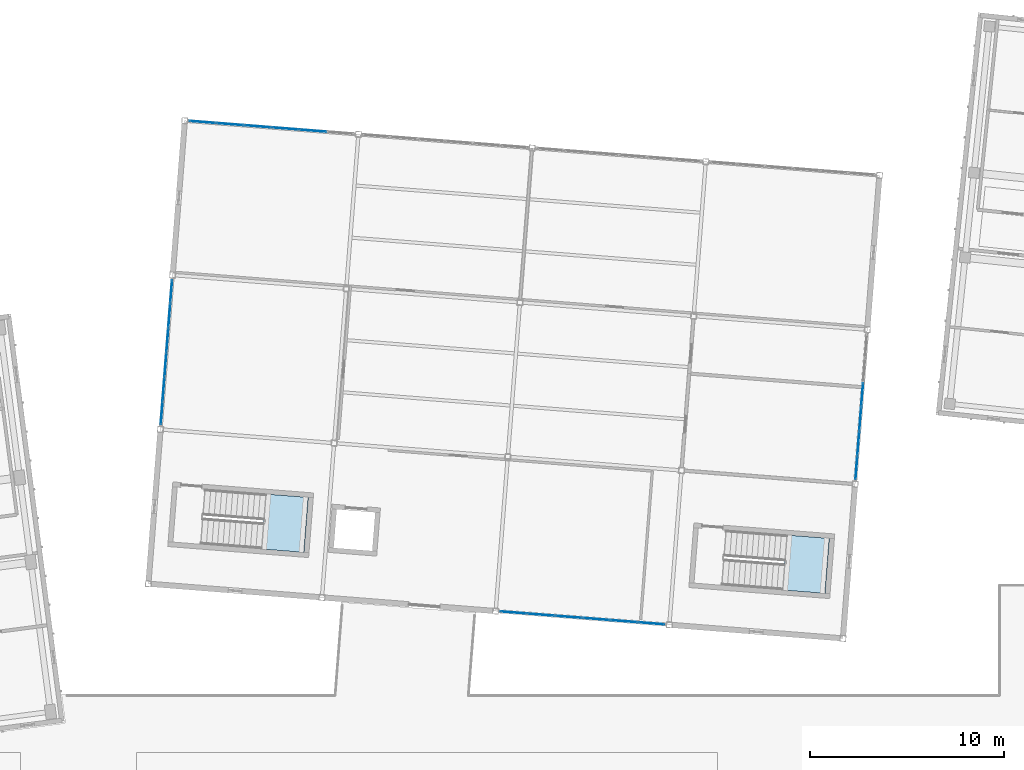
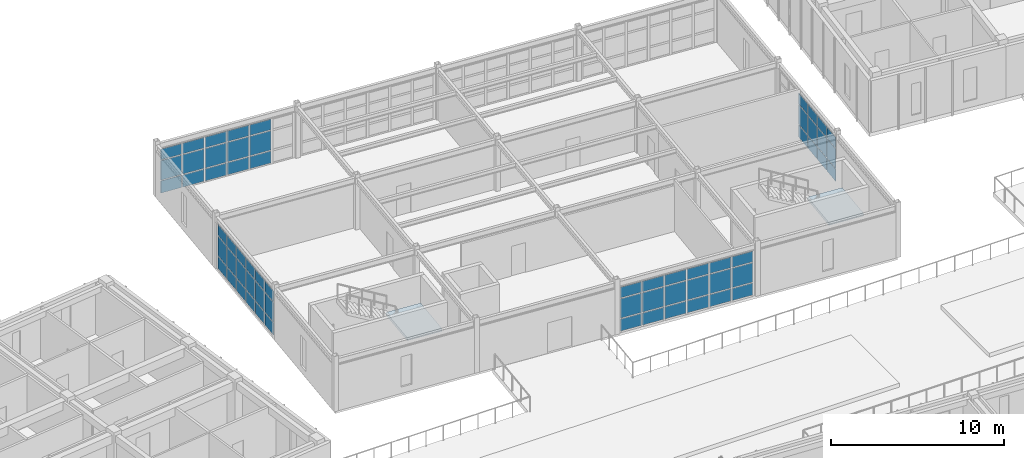
# One storey, part 74 of 150: 63 plates, 2 slabs, 6 elements without a shape of their own.
"""IFC4 building model written with IfcOpenShell, lengths in metres."""

from ifc_helpers import new_model, si_unit, direction, frame, origin, origin_2d, place, context, subcontext, project, spatial, polyline, rectangle, outline, extrude, material, layer, layer_set, type_object, element, aggregate, save


model = new_model("IFC4")

# Units and contexts
model_context = context("Model", 3, precision=1e-05, world=origin(), true_north=direction((0.0, 1.0)))
body_context = subcontext(model_context, "Body", "Model", "MODEL_VIEW")
ifc_project = project(units=[si_unit("LENGTHUNIT", "METRE"), si_unit("AREAUNIT", "SQUARE_METRE"), si_unit("VOLUMEUNIT", "CUBIC_METRE"), si_unit("PLANEANGLEUNIT", "RADIAN"), si_unit("MASSUNIT", "GRAM", prefix="KILO")], contexts=[model_context])

# Site, building, storey
site_placement = place(None, origin())
site = spatial("IfcSite", under=ifc_project, at=site_placement, CompositionType="ELEMENT")
building_placement = place(site_placement, origin())
building = spatial("IfcBuilding", under=site, at=building_placement, Name="Kestramere Prow Commons", CompositionType="ELEMENT")
storey_placement = place(building_placement, frame((0.0, 0.0, 4.5)))
storey = spatial("IfcBuildingStorey", under=building, at=storey_placement, Name="L01", CompositionType="ELEMENT", Elevation=4.5)

# Curtain wall, plates
ifc_material_1 = material(Name="Anodised Aluminium and Low-E Glass", Category="aluminium")
curtain_wall_type_1 = type_object("IfcCurtainWallType", Name="CW-15 Glazed Curtain Wall 8600x3230", PredefinedType="USERDEFINED", material=ifc_material_1)
curtain_wall_1_placement = place(storey_placement, origin())
curtain_wall_1 = element("IfcCurtainWall", 1, at=curtain_wall_1_placement, inside=storey, type_object=curtain_wall_type_1, Name="Nursery L01 North Garden Glazing 1", ObjectType="GLAZED CURTAIN WALL", PredefinedType="USERDEFINED")
ifc_material_2 = material(Name="Low-E Laminated Double Glazing", Category="glass")
ifc_layer_1 = layer(ifc_material_2, 0.028076171875)
ifc_layer_set_1 = layer_set([ifc_layer_1], Name="Low-E Laminated Double Glazing")
plate_type = type_object("IfcPlateType", Name="CW-PNL-28", PredefinedType="CURTAIN_PANEL", material=ifc_layer_set_1)
plate_1_placement = place(storey_placement, frame((71.4130859375, 109.352783203125, 0.06494140625), z_axis=(0.0, 0.0, 1.0), x_axis=(0.996917335713, -0.078459070568, 0.0)))
plate_1 = element("IfcPlate", 2, at=plate_1_placement, type_object=plate_type, Name="CW-15 panel 1.1", PredefinedType="CURTAIN_PANEL", context=body_context, shape_type="SweptSolid", body=[
    extrude(rectangle(XDim=1.3359375, YDim=0.028076171875, at=origin_2d()), origin(), (0.0, 0.0, 1.0), 0.8525390625),
])
plate_2_placement = place(storey_placement, frame((71.4130859375, 109.352783203125, 0.982421875), z_axis=(0.0, 0.0, 1.0), x_axis=(0.996917335713, -0.078459070568, 0.0)))
plate_2 = element("IfcPlate", 3, at=plate_2_placement, type_object=plate_type, Name="CW-15 panel 1.2", PredefinedType="CURTAIN_PANEL", context=body_context, shape_type="SweptSolid", body=[
    extrude(rectangle(XDim=1.3359375, YDim=0.028076171875, at=origin_2d()), origin(), (0.0, 0.0, 1.0), 1.364990234375),
])
plate_3_placement = place(storey_placement, frame((71.4130859375, 109.352783203125, 2.41259765625), z_axis=(0.0, 0.0, 1.0), x_axis=(0.996917335713, -0.078459070568, 0.0)))
plate_3 = element("IfcPlate", 4, at=plate_3_placement, type_object=plate_type, Name="CW-15 panel 1.3", PredefinedType="CURTAIN_PANEL", context=body_context, shape_type="SweptSolid", body=[
    extrude(rectangle(XDim=1.3359375, YDim=0.028076171875, at=origin_2d()), origin(), (0.0, 0.0, 1.0), 0.75244140625),
])
plate_4_placement = place(storey_placement, frame((72.82568359375, 109.24169921875, 0.06494140625), z_axis=(0.0, 0.0, 1.0), x_axis=(0.996917335713, -0.078459070568, 0.0)))
plate_4 = element("IfcPlate", 5, at=plate_4_placement, type_object=plate_type, Name="CW-15 panel 2.1", PredefinedType="CURTAIN_PANEL", context=body_context, shape_type="SweptSolid", body=[
    extrude(rectangle(XDim=1.368408203125, YDim=0.028076171875, at=origin_2d()), origin(), (0.0, 0.0, 1.0), 0.8525390625),
])
plate_5_placement = place(storey_placement, frame((72.82568359375, 109.24169921875, 0.982421875), z_axis=(0.0, 0.0, 1.0), x_axis=(0.996917335713, -0.078459070568, 0.0)))
plate_5 = element("IfcPlate", 6, at=plate_5_placement, type_object=plate_type, Name="CW-15 panel 2.2", PredefinedType="CURTAIN_PANEL", context=body_context, shape_type="SweptSolid", body=[
    extrude(rectangle(XDim=1.368408203125, YDim=0.028076171875, at=origin_2d()), origin(), (0.0, 0.0, 1.0), 1.364990234375),
])
plate_6_placement = place(storey_placement, frame((72.82568359375, 109.24169921875, 2.41259765625), z_axis=(0.0, 0.0, 1.0), x_axis=(0.996917335713, -0.078459070568, 0.0)))
plate_6 = element("IfcPlate", 7, at=plate_6_placement, type_object=plate_type, Name="CW-15 panel 2.3", PredefinedType="CURTAIN_PANEL", context=body_context, shape_type="SweptSolid", body=[
    extrude(rectangle(XDim=1.368408203125, YDim=0.028076171875, at=origin_2d()), origin(), (0.0, 0.0, 1.0), 0.75244140625),
])
plate_7_placement = place(storey_placement, frame((74.254638671875, 109.129150390625, 0.06494140625), z_axis=(0.0, 0.0, 1.0), x_axis=(0.996917335713, -0.078459070568, 0.0)))
plate_7 = element("IfcPlate", 8, at=plate_7_placement, type_object=plate_type, Name="CW-15 panel 3.1", PredefinedType="CURTAIN_PANEL", context=body_context, shape_type="SweptSolid", body=[
    extrude(rectangle(XDim=1.368408203125, YDim=0.028076171875, at=origin_2d()), origin(), (0.0, 0.0, 1.0), 0.8525390625),
])
plate_8_placement = place(storey_placement, frame((74.254638671875, 109.129150390625, 0.982421875), z_axis=(0.0, 0.0, 1.0), x_axis=(0.996917335713, -0.078459070568, 0.0)))
plate_8 = element("IfcPlate", 9, at=plate_8_placement, type_object=plate_type, Name="CW-15 panel 3.2", PredefinedType="CURTAIN_PANEL", context=body_context, shape_type="SweptSolid", body=[
    extrude(rectangle(XDim=1.368408203125, YDim=0.028076171875, at=origin_2d()), origin(), (0.0, 0.0, 1.0), 1.364990234375),
])
plate_9_placement = place(storey_placement, frame((74.254638671875, 109.129150390625, 2.41259765625), z_axis=(0.0, 0.0, 1.0), x_axis=(0.996917335713, -0.078459070568, 0.0)))
plate_9 = element("IfcPlate", 10, at=plate_9_placement, type_object=plate_type, Name="CW-15 panel 3.3", PredefinedType="CURTAIN_PANEL", context=body_context, shape_type="SweptSolid", body=[
    extrude(rectangle(XDim=1.368408203125, YDim=0.028076171875, at=origin_2d()), origin(), (0.0, 0.0, 1.0), 0.75244140625),
])
plate_10_placement = place(storey_placement, frame((75.68359375, 109.0166015625, 0.06494140625), z_axis=(0.0, 0.0, 1.0), x_axis=(0.996917335713, -0.078459070568, 0.0)))
plate_10 = element("IfcPlate", 11, at=plate_10_placement, type_object=plate_type, Name="CW-15 panel 4.1", PredefinedType="CURTAIN_PANEL", context=body_context, shape_type="SweptSolid", body=[
    extrude(rectangle(XDim=1.368408203125, YDim=0.028076171875, at=origin_2d()), origin(), (0.0, 0.0, 1.0), 0.8525390625),
])
plate_11_placement = place(storey_placement, frame((75.68359375, 109.0166015625, 0.982421875), z_axis=(0.0, 0.0, 1.0), x_axis=(0.996917335713, -0.078459070568, 0.0)))
plate_11 = element("IfcPlate", 12, at=plate_11_placement, type_object=plate_type, Name="CW-15 panel 4.2", PredefinedType="CURTAIN_PANEL", context=body_context, shape_type="SweptSolid", body=[
    extrude(rectangle(XDim=1.368408203125, YDim=0.028076171875, at=origin_2d()), origin(), (0.0, 0.0, 1.0), 1.364990234375),
])
plate_12_placement = place(storey_placement, frame((75.68359375, 109.0166015625, 2.41259765625), z_axis=(0.0, 0.0, 1.0), x_axis=(0.996917335713, -0.078459070568, 0.0)))
plate_12 = element("IfcPlate", 13, at=plate_12_placement, type_object=plate_type, Name="CW-15 panel 4.3", PredefinedType="CURTAIN_PANEL", context=body_context, shape_type="SweptSolid", body=[
    extrude(rectangle(XDim=1.368408203125, YDim=0.028076171875, at=origin_2d()), origin(), (0.0, 0.0, 1.0), 0.75244140625),
])
plate_13_placement = place(storey_placement, frame((77.112548828125, 108.904296875, 0.06494140625), z_axis=(0.0, 0.0, 1.0), x_axis=(0.996917335713, -0.078459070568, 0.0)))
plate_13 = element("IfcPlate", 14, at=plate_13_placement, type_object=plate_type, Name="CW-15 panel 5.1", PredefinedType="CURTAIN_PANEL", context=body_context, shape_type="SweptSolid", body=[
    extrude(rectangle(XDim=1.368408203125, YDim=0.028076171875, at=origin_2d()), origin(), (0.0, 0.0, 1.0), 0.8525390625),
])
plate_14_placement = place(storey_placement, frame((77.112548828125, 108.904296875, 0.982421875), z_axis=(0.0, 0.0, 1.0), x_axis=(0.996917335713, -0.078459070568, 0.0)))
plate_14 = element("IfcPlate", 15, at=plate_14_placement, type_object=plate_type, Name="CW-15 panel 5.2", PredefinedType="CURTAIN_PANEL", context=body_context, shape_type="SweptSolid", body=[
    extrude(rectangle(XDim=1.368408203125, YDim=0.028076171875, at=origin_2d()), origin(), (0.0, 0.0, 1.0), 1.364990234375),
])
plate_15_placement = place(storey_placement, frame((77.112548828125, 108.904296875, 2.41259765625), z_axis=(0.0, 0.0, 1.0), x_axis=(0.996917335713, -0.078459070568, 0.0)))
plate_15 = element("IfcPlate", 16, at=plate_15_placement, type_object=plate_type, Name="CW-15 panel 5.3", PredefinedType="CURTAIN_PANEL", context=body_context, shape_type="SweptSolid", body=[
    extrude(rectangle(XDim=1.368408203125, YDim=0.028076171875, at=origin_2d()), origin(), (0.0, 0.0, 1.0), 0.75244140625),
])
aggregate(curtain_wall_1, [plate_1, plate_2, plate_3, plate_4, plate_5, plate_6, plate_7, plate_8, plate_9, plate_10, plate_11, plate_12, plate_13, plate_14, plate_15])

curtain_wall_2_placement = place(storey_placement, origin())
curtain_wall_2 = element("IfcCurtainWall", 17, at=curtain_wall_2_placement, inside=storey, type_object=curtain_wall_type_1, Name="Nursery L01 South Classroom Glazing 3", ObjectType="GLAZED CURTAIN WALL", PredefinedType="USERDEFINED")
plate_16_placement = place(storey_placement, frame((94.586669921875, 83.454833984375, 0.06494140625), z_axis=(0.0, 0.0, 1.0), x_axis=(-0.996917336429, 0.078459061468, 0.0)))
plate_16 = element("IfcPlate", 18, at=plate_16_placement, type_object=plate_type, Name="CW-15 panel 1.1", PredefinedType="CURTAIN_PANEL", context=body_context, shape_type="SweptSolid", body=[
    extrude(rectangle(XDim=1.3359375, YDim=0.028076171875, at=origin_2d()), origin(), (0.0, 0.0, 1.0), 0.8525390625),
])
plate_17_placement = place(storey_placement, frame((94.586669921875, 83.454833984375, 0.982421875), z_axis=(0.0, 0.0, 1.0), x_axis=(-0.996917336429, 0.078459061468, 0.0)))
plate_17 = element("IfcPlate", 19, at=plate_17_placement, type_object=plate_type, Name="CW-15 panel 1.2", PredefinedType="CURTAIN_PANEL", context=body_context, shape_type="SweptSolid", body=[
    extrude(rectangle(XDim=1.3359375, YDim=0.028076171875, at=origin_2d()), origin(), (0.0, 0.0, 1.0), 1.364990234375),
])
plate_18_placement = place(storey_placement, frame((94.586669921875, 83.454833984375, 2.41259765625), z_axis=(0.0, 0.0, 1.0), x_axis=(-0.996917336429, 0.078459061468, 0.0)))
plate_18 = element("IfcPlate", 20, at=plate_18_placement, type_object=plate_type, Name="CW-15 panel 1.3", PredefinedType="CURTAIN_PANEL", context=body_context, shape_type="SweptSolid", body=[
    extrude(rectangle(XDim=1.3359375, YDim=0.028076171875, at=origin_2d()), origin(), (0.0, 0.0, 1.0), 0.75244140625),
])
plate_19_placement = place(storey_placement, frame((93.174072265625, 83.56591796875, 0.06494140625), z_axis=(0.0, 0.0, 1.0), x_axis=(-0.996917336429, 0.078459061468, 0.0)))
plate_19 = element("IfcPlate", 21, at=plate_19_placement, type_object=plate_type, Name="CW-15 panel 2.1", PredefinedType="CURTAIN_PANEL", context=body_context, shape_type="SweptSolid", body=[
    extrude(rectangle(XDim=1.368408203125, YDim=0.028076171875, at=origin_2d()), origin(), (0.0, 0.0, 1.0), 0.8525390625),
])
plate_20_placement = place(storey_placement, frame((93.174072265625, 83.56591796875, 0.982421875), z_axis=(0.0, 0.0, 1.0), x_axis=(-0.996917336429, 0.078459061468, 0.0)))
plate_20 = element("IfcPlate", 22, at=plate_20_placement, type_object=plate_type, Name="CW-15 panel 2.2", PredefinedType="CURTAIN_PANEL", context=body_context, shape_type="SweptSolid", body=[
    extrude(rectangle(XDim=1.368408203125, YDim=0.028076171875, at=origin_2d()), origin(), (0.0, 0.0, 1.0), 1.364990234375),
])
plate_21_placement = place(storey_placement, frame((93.174072265625, 83.56591796875, 2.41259765625), z_axis=(0.0, 0.0, 1.0), x_axis=(-0.996917336429, 0.078459061468, 0.0)))
plate_21 = element("IfcPlate", 23, at=plate_21_placement, type_object=plate_type, Name="CW-15 panel 2.3", PredefinedType="CURTAIN_PANEL", context=body_context, shape_type="SweptSolid", body=[
    extrude(rectangle(XDim=1.368408203125, YDim=0.028076171875, at=origin_2d()), origin(), (0.0, 0.0, 1.0), 0.75244140625),
])
plate_22_placement = place(storey_placement, frame((91.7451171875, 83.678466796875, 0.06494140625), z_axis=(0.0, 0.0, 1.0), x_axis=(-0.996917336429, 0.078459061468, 0.0)))
plate_22 = element("IfcPlate", 24, at=plate_22_placement, type_object=plate_type, Name="CW-15 panel 3.1", PredefinedType="CURTAIN_PANEL", context=body_context, shape_type="SweptSolid", body=[
    extrude(rectangle(XDim=1.368408203125, YDim=0.028076171875, at=origin_2d()), origin(), (0.0, 0.0, 1.0), 0.8525390625),
])
plate_23_placement = place(storey_placement, frame((91.7451171875, 83.678466796875, 0.982421875), z_axis=(0.0, 0.0, 1.0), x_axis=(-0.996917336429, 0.078459061468, 0.0)))
plate_23 = element("IfcPlate", 25, at=plate_23_placement, type_object=plate_type, Name="CW-15 panel 3.2", PredefinedType="CURTAIN_PANEL", context=body_context, shape_type="SweptSolid", body=[
    extrude(rectangle(XDim=1.368408203125, YDim=0.028076171875, at=origin_2d()), origin(), (0.0, 0.0, 1.0), 1.364990234375),
])
plate_24_placement = place(storey_placement, frame((91.7451171875, 83.678466796875, 2.41259765625), z_axis=(0.0, 0.0, 1.0), x_axis=(-0.996917336429, 0.078459061468, 0.0)))
plate_24 = element("IfcPlate", 26, at=plate_24_placement, type_object=plate_type, Name="CW-15 panel 3.3", PredefinedType="CURTAIN_PANEL", context=body_context, shape_type="SweptSolid", body=[
    extrude(rectangle(XDim=1.368408203125, YDim=0.028076171875, at=origin_2d()), origin(), (0.0, 0.0, 1.0), 0.75244140625),
])
plate_25_placement = place(storey_placement, frame((90.316162109375, 83.791015625, 0.06494140625), z_axis=(0.0, 0.0, 1.0), x_axis=(-0.996917336429, 0.078459061468, 0.0)))
plate_25 = element("IfcPlate", 27, at=plate_25_placement, type_object=plate_type, Name="CW-15 panel 4.1", PredefinedType="CURTAIN_PANEL", context=body_context, shape_type="SweptSolid", body=[
    extrude(rectangle(XDim=1.368408203125, YDim=0.028076171875, at=origin_2d()), origin(), (0.0, 0.0, 1.0), 0.8525390625),
])
plate_26_placement = place(storey_placement, frame((90.316162109375, 83.791015625, 0.982421875), z_axis=(0.0, 0.0, 1.0), x_axis=(-0.996917336429, 0.078459061468, 0.0)))
plate_26 = element("IfcPlate", 28, at=plate_26_placement, type_object=plate_type, Name="CW-15 panel 4.2", PredefinedType="CURTAIN_PANEL", context=body_context, shape_type="SweptSolid", body=[
    extrude(rectangle(XDim=1.368408203125, YDim=0.028076171875, at=origin_2d()), origin(), (0.0, 0.0, 1.0), 1.364990234375),
])
plate_27_placement = place(storey_placement, frame((90.316162109375, 83.791015625, 2.41259765625), z_axis=(0.0, 0.0, 1.0), x_axis=(-0.996917336429, 0.078459061468, 0.0)))
plate_27 = element("IfcPlate", 29, at=plate_27_placement, type_object=plate_type, Name="CW-15 panel 4.3", PredefinedType="CURTAIN_PANEL", context=body_context, shape_type="SweptSolid", body=[
    extrude(rectangle(XDim=1.368408203125, YDim=0.028076171875, at=origin_2d()), origin(), (0.0, 0.0, 1.0), 0.75244140625),
])
plate_28_placement = place(storey_placement, frame((88.88720703125, 83.9033203125, 0.06494140625), z_axis=(0.0, 0.0, 1.0), x_axis=(-0.996917336429, 0.078459061468, 0.0)))
plate_28 = element("IfcPlate", 30, at=plate_28_placement, type_object=plate_type, Name="CW-15 panel 5.1", PredefinedType="CURTAIN_PANEL", context=body_context, shape_type="SweptSolid", body=[
    extrude(rectangle(XDim=1.368408203125, YDim=0.028076171875, at=origin_2d()), origin(), (0.0, 0.0, 1.0), 0.8525390625),
])
plate_29_placement = place(storey_placement, frame((88.88720703125, 83.9033203125, 0.982421875), z_axis=(0.0, 0.0, 1.0), x_axis=(-0.996917336429, 0.078459061468, 0.0)))
plate_29 = element("IfcPlate", 31, at=plate_29_placement, type_object=plate_type, Name="CW-15 panel 5.2", PredefinedType="CURTAIN_PANEL", context=body_context, shape_type="SweptSolid", body=[
    extrude(rectangle(XDim=1.368408203125, YDim=0.028076171875, at=origin_2d()), origin(), (0.0, 0.0, 1.0), 1.364990234375),
])
plate_30_placement = place(storey_placement, frame((88.88720703125, 83.9033203125, 2.41259765625), z_axis=(0.0, 0.0, 1.0), x_axis=(-0.996917336429, 0.078459061468, 0.0)))
plate_30 = element("IfcPlate", 32, at=plate_30_placement, type_object=plate_type, Name="CW-15 panel 5.3", PredefinedType="CURTAIN_PANEL", context=body_context, shape_type="SweptSolid", body=[
    extrude(rectangle(XDim=1.368408203125, YDim=0.028076171875, at=origin_2d()), origin(), (0.0, 0.0, 1.0), 0.75244140625),
])
plate_31_placement = place(storey_placement, frame((87.474609375, 84.0146484375, 0.06494140625), z_axis=(0.0, 0.0, 1.0), x_axis=(-0.996917336429, 0.078459061468, 0.0)))
plate_31 = element("IfcPlate", 33, at=plate_31_placement, type_object=plate_type, Name="CW-15 panel 6.1", PredefinedType="CURTAIN_PANEL", context=body_context, shape_type="SweptSolid", body=[
    extrude(rectangle(XDim=1.3359375, YDim=0.028076171875, at=origin_2d()), origin(), (0.0, 0.0, 1.0), 0.8525390625),
])
plate_32_placement = place(storey_placement, frame((87.474609375, 84.0146484375, 0.982421875), z_axis=(0.0, 0.0, 1.0), x_axis=(-0.996917336429, 0.078459061468, 0.0)))
plate_32 = element("IfcPlate", 34, at=plate_32_placement, type_object=plate_type, Name="CW-15 panel 6.2", PredefinedType="CURTAIN_PANEL", context=body_context, shape_type="SweptSolid", body=[
    extrude(rectangle(XDim=1.3359375, YDim=0.028076171875, at=origin_2d()), origin(), (0.0, 0.0, 1.0), 1.364990234375),
])
plate_33_placement = place(storey_placement, frame((87.474609375, 84.0146484375, 2.41259765625), z_axis=(0.0, 0.0, 1.0), x_axis=(-0.996917336429, 0.078459061468, 0.0)))
plate_33 = element("IfcPlate", 35, at=plate_33_placement, type_object=plate_type, Name="CW-15 panel 6.3", PredefinedType="CURTAIN_PANEL", context=body_context, shape_type="SweptSolid", body=[
    extrude(rectangle(XDim=1.3359375, YDim=0.028076171875, at=origin_2d()), origin(), (0.0, 0.0, 1.0), 0.75244140625),
])
aggregate(curtain_wall_2, [plate_16, plate_17, plate_18, plate_19, plate_20, plate_21, plate_22, plate_23, plate_24, plate_25, plate_26, plate_27, plate_28, plate_29, plate_30, plate_31, plate_32, plate_33])

curtain_wall_type_2 = type_object("IfcCurtainWallType", Name="CW-16 Glazed Curtain Wall 7600x3230", PredefinedType="USERDEFINED", material=ifc_material_1)
curtain_wall_3_placement = place(storey_placement, origin())
curtain_wall_3 = element("IfcCurtainWall", 36, at=curtain_wall_3_placement, inside=storey, type_object=curtain_wall_type_2, Name="Nursery L01 W End Glazing", ObjectType="GLAZED CURTAIN WALL", PredefinedType="USERDEFINED")
plate_34_placement = place(storey_placement, frame((69.29443359375, 94.322265625, 0.06494140625), z_axis=(0.0, 0.0, 1.0), x_axis=(0.078459076345, 0.996917335259, 0.0)))
plate_34 = element("IfcPlate", 37, at=plate_34_placement, type_object=plate_type, Name="CW-16 panel 1.1", PredefinedType="CURTAIN_PANEL", context=body_context, shape_type="SweptSolid", body=[
    extrude(rectangle(XDim=1.169189453125, YDim=0.028076171875, at=origin_2d()), origin(), (0.0, 0.0, 1.0), 0.8525390625),
])
plate_35_placement = place(storey_placement, frame((69.29443359375, 94.322265625, 0.982421875), z_axis=(0.0, 0.0, 1.0), x_axis=(0.078459076345, 0.996917335259, 0.0)))
plate_35 = element("IfcPlate", 38, at=plate_35_placement, type_object=plate_type, Name="CW-16 panel 1.2", PredefinedType="CURTAIN_PANEL", context=body_context, shape_type="SweptSolid", body=[
    extrude(rectangle(XDim=1.169189453125, YDim=0.028076171875, at=origin_2d()), origin(), (0.0, 0.0, 1.0), 1.364990234375),
])
plate_36_placement = place(storey_placement, frame((69.29443359375, 94.322265625, 2.41259765625), z_axis=(0.0, 0.0, 1.0), x_axis=(0.078459076345, 0.996917335259, 0.0)))
plate_36 = element("IfcPlate", 39, at=plate_36_placement, type_object=plate_type, Name="CW-16 panel 1.3", PredefinedType="CURTAIN_PANEL", context=body_context, shape_type="SweptSolid", body=[
    extrude(rectangle(XDim=1.169189453125, YDim=0.028076171875, at=origin_2d()), origin(), (0.0, 0.0, 1.0), 0.75244140625),
])
plate_37_placement = place(storey_placement, frame((69.392333984375, 95.56884765625, 0.06494140625), z_axis=(0.0, 0.0, 1.0), x_axis=(0.078459076345, 0.996917335259, 0.0)))
plate_37 = element("IfcPlate", 40, at=plate_37_placement, type_object=plate_type, Name="CW-16 panel 2.1", PredefinedType="CURTAIN_PANEL", context=body_context, shape_type="SweptSolid", body=[
    extrude(rectangle(XDim=1.20166015625, YDim=0.028076171875, at=origin_2d()), origin(), (0.0, 0.0, 1.0), 0.8525390625),
])
plate_38_placement = place(storey_placement, frame((69.392333984375, 95.56884765625, 0.982421875), z_axis=(0.0, 0.0, 1.0), x_axis=(0.078459076345, 0.996917335259, 0.0)))
plate_38 = element("IfcPlate", 41, at=plate_38_placement, type_object=plate_type, Name="CW-16 panel 2.2", PredefinedType="CURTAIN_PANEL", context=body_context, shape_type="SweptSolid", body=[
    extrude(rectangle(XDim=1.20166015625, YDim=0.028076171875, at=origin_2d()), origin(), (0.0, 0.0, 1.0), 1.364990234375),
])
plate_39_placement = place(storey_placement, frame((69.392333984375, 95.56884765625, 2.41259765625), z_axis=(0.0, 0.0, 1.0), x_axis=(0.078459076345, 0.996917335259, 0.0)))
plate_39 = element("IfcPlate", 42, at=plate_39_placement, type_object=plate_type, Name="CW-16 panel 2.3", PredefinedType="CURTAIN_PANEL", context=body_context, shape_type="SweptSolid", body=[
    extrude(rectangle(XDim=1.20166015625, YDim=0.028076171875, at=origin_2d()), origin(), (0.0, 0.0, 1.0), 0.75244140625),
])
plate_40_placement = place(storey_placement, frame((69.49169921875, 96.83154296875, 0.06494140625), z_axis=(0.0, 0.0, 1.0), x_axis=(0.078459076345, 0.996917335259, 0.0)))
plate_40 = element("IfcPlate", 43, at=plate_40_placement, type_object=plate_type, Name="CW-16 panel 3.1", PredefinedType="CURTAIN_PANEL", context=body_context, shape_type="SweptSolid", body=[
    extrude(rectangle(XDim=1.20166015625, YDim=0.028076171875, at=origin_2d()), origin(), (0.0, 0.0, 1.0), 0.8525390625),
])
plate_41_placement = place(storey_placement, frame((69.49169921875, 96.83154296875, 0.982421875), z_axis=(0.0, 0.0, 1.0), x_axis=(0.078459076345, 0.996917335259, 0.0)))
plate_41 = element("IfcPlate", 44, at=plate_41_placement, type_object=plate_type, Name="CW-16 panel 3.2", PredefinedType="CURTAIN_PANEL", context=body_context, shape_type="SweptSolid", body=[
    extrude(rectangle(XDim=1.20166015625, YDim=0.028076171875, at=origin_2d()), origin(), (0.0, 0.0, 1.0), 1.364990234375),
])
plate_42_placement = place(storey_placement, frame((69.49169921875, 96.83154296875, 2.41259765625), z_axis=(0.0, 0.0, 1.0), x_axis=(0.078459076345, 0.996917335259, 0.0)))
plate_42 = element("IfcPlate", 45, at=plate_42_placement, type_object=plate_type, Name="CW-16 panel 3.3", PredefinedType="CURTAIN_PANEL", context=body_context, shape_type="SweptSolid", body=[
    extrude(rectangle(XDim=1.20166015625, YDim=0.028076171875, at=origin_2d()), origin(), (0.0, 0.0, 1.0), 0.75244140625),
])
plate_43_placement = place(storey_placement, frame((69.59130859375, 98.094482421875, 0.06494140625), z_axis=(0.0, 0.0, 1.0), x_axis=(0.078459076345, 0.996917335259, 0.0)))
plate_43 = element("IfcPlate", 46, at=plate_43_placement, type_object=plate_type, Name="CW-16 panel 4.1", PredefinedType="CURTAIN_PANEL", context=body_context, shape_type="SweptSolid", body=[
    extrude(rectangle(XDim=1.20166015625, YDim=0.028076171875, at=origin_2d()), origin(), (0.0, 0.0, 1.0), 0.8525390625),
])
plate_44_placement = place(storey_placement, frame((69.59130859375, 98.094482421875, 0.982421875), z_axis=(0.0, 0.0, 1.0), x_axis=(0.078459076345, 0.996917335259, 0.0)))
plate_44 = element("IfcPlate", 47, at=plate_44_placement, type_object=plate_type, Name="CW-16 panel 4.2", PredefinedType="CURTAIN_PANEL", context=body_context, shape_type="SweptSolid", body=[
    extrude(rectangle(XDim=1.20166015625, YDim=0.028076171875, at=origin_2d()), origin(), (0.0, 0.0, 1.0), 1.364990234375),
])
plate_45_placement = place(storey_placement, frame((69.59130859375, 98.094482421875, 2.41259765625), z_axis=(0.0, 0.0, 1.0), x_axis=(0.078459076345, 0.996917335259, 0.0)))
plate_45 = element("IfcPlate", 48, at=plate_45_placement, type_object=plate_type, Name="CW-16 panel 4.3", PredefinedType="CURTAIN_PANEL", context=body_context, shape_type="SweptSolid", body=[
    extrude(rectangle(XDim=1.20166015625, YDim=0.028076171875, at=origin_2d()), origin(), (0.0, 0.0, 1.0), 0.75244140625),
])
plate_46_placement = place(storey_placement, frame((69.690673828125, 99.357177734375, 0.06494140625), z_axis=(0.0, 0.0, 1.0), x_axis=(0.078459076345, 0.996917335259, 0.0)))
plate_46 = element("IfcPlate", 49, at=plate_46_placement, type_object=plate_type, Name="CW-16 panel 5.1", PredefinedType="CURTAIN_PANEL", context=body_context, shape_type="SweptSolid", body=[
    extrude(rectangle(XDim=1.20166015625, YDim=0.028076171875, at=origin_2d()), origin(), (0.0, 0.0, 1.0), 0.8525390625),
])
plate_47_placement = place(storey_placement, frame((69.690673828125, 99.357177734375, 0.982421875), z_axis=(0.0, 0.0, 1.0), x_axis=(0.078459076345, 0.996917335259, 0.0)))
plate_47 = element("IfcPlate", 50, at=plate_47_placement, type_object=plate_type, Name="CW-16 panel 5.2", PredefinedType="CURTAIN_PANEL", context=body_context, shape_type="SweptSolid", body=[
    extrude(rectangle(XDim=1.20166015625, YDim=0.028076171875, at=origin_2d()), origin(), (0.0, 0.0, 1.0), 1.364990234375),
])
plate_48_placement = place(storey_placement, frame((69.690673828125, 99.357177734375, 2.41259765625), z_axis=(0.0, 0.0, 1.0), x_axis=(0.078459076345, 0.996917335259, 0.0)))
plate_48 = element("IfcPlate", 51, at=plate_48_placement, type_object=plate_type, Name="CW-16 panel 5.3", PredefinedType="CURTAIN_PANEL", context=body_context, shape_type="SweptSolid", body=[
    extrude(rectangle(XDim=1.20166015625, YDim=0.028076171875, at=origin_2d()), origin(), (0.0, 0.0, 1.0), 0.75244140625),
])
plate_49_placement = place(storey_placement, frame((69.78857421875, 100.603759765625, 0.06494140625), z_axis=(0.0, 0.0, 1.0), x_axis=(0.078459076345, 0.996917335259, 0.0)))
plate_49 = element("IfcPlate", 52, at=plate_49_placement, type_object=plate_type, Name="CW-16 panel 6.1", PredefinedType="CURTAIN_PANEL", context=body_context, shape_type="SweptSolid", body=[
    extrude(rectangle(XDim=1.169189453125, YDim=0.028076171875, at=origin_2d()), origin(), (0.0, 0.0, 1.0), 0.8525390625),
])
plate_50_placement = place(storey_placement, frame((69.78857421875, 100.603759765625, 0.982421875), z_axis=(0.0, 0.0, 1.0), x_axis=(0.078459076345, 0.996917335259, 0.0)))
plate_50 = element("IfcPlate", 53, at=plate_50_placement, type_object=plate_type, Name="CW-16 panel 6.2", PredefinedType="CURTAIN_PANEL", context=body_context, shape_type="SweptSolid", body=[
    extrude(rectangle(XDim=1.169189453125, YDim=0.028076171875, at=origin_2d()), origin(), (0.0, 0.0, 1.0), 1.364990234375),
])
plate_51_placement = place(storey_placement, frame((69.78857421875, 100.603759765625, 2.41259765625), z_axis=(0.0, 0.0, 1.0), x_axis=(0.078459076345, 0.996917335259, 0.0)))
plate_51 = element("IfcPlate", 54, at=plate_51_placement, type_object=plate_type, Name="CW-16 panel 6.3", PredefinedType="CURTAIN_PANEL", context=body_context, shape_type="SweptSolid", body=[
    extrude(rectangle(XDim=1.169189453125, YDim=0.028076171875, at=origin_2d()), origin(), (0.0, 0.0, 1.0), 0.75244140625),
])
aggregate(curtain_wall_3, [plate_34, plate_35, plate_36, plate_37, plate_38, plate_39, plate_40, plate_41, plate_42, plate_43, plate_44, plate_45, plate_46, plate_47, plate_48, plate_49, plate_50, plate_51])

curtain_wall_4_placement = place(storey_placement, origin())
curtain_wall_4 = element("IfcCurtainWall", 55, at=curtain_wall_4_placement, inside=storey, type_object=curtain_wall_type_2, Name="Nursery L01 E End Glazing", ObjectType="GLAZED CURTAIN WALL", PredefinedType="USERDEFINED")
plate_52_placement = place(storey_placement, frame((105.480224609375, 95.269775390625, 0.06494140625), z_axis=(0.0, 0.0, 1.0), x_axis=(-0.078459086628, -0.996917334449, 0.0)))
plate_52 = element("IfcPlate", 56, at=plate_52_placement, type_object=plate_type, Name="CW-16 panel 3.1", PredefinedType="CURTAIN_PANEL", context=body_context, shape_type="SweptSolid", body=[
    extrude(rectangle(XDim=1.20166015625, YDim=0.028076171875, at=origin_2d()), origin(), (0.0, 0.0, 1.0), 0.8525390625),
])
plate_53_placement = place(storey_placement, frame((105.480224609375, 95.269775390625, 0.982421875), z_axis=(0.0, 0.0, 1.0), x_axis=(-0.078459086628, -0.996917334449, 0.0)))
plate_53 = element("IfcPlate", 57, at=plate_53_placement, type_object=plate_type, Name="CW-16 panel 3.2", PredefinedType="CURTAIN_PANEL", context=body_context, shape_type="SweptSolid", body=[
    extrude(rectangle(XDim=1.20166015625, YDim=0.028076171875, at=origin_2d()), origin(), (0.0, 0.0, 1.0), 1.364990234375),
])
plate_54_placement = place(storey_placement, frame((105.480224609375, 95.269775390625, 2.41259765625), z_axis=(0.0, 0.0, 1.0), x_axis=(-0.078459086628, -0.996917334449, 0.0)))
plate_54 = element("IfcPlate", 58, at=plate_54_placement, type_object=plate_type, Name="CW-16 panel 3.3", PredefinedType="CURTAIN_PANEL", context=body_context, shape_type="SweptSolid", body=[
    extrude(rectangle(XDim=1.20166015625, YDim=0.028076171875, at=origin_2d()), origin(), (0.0, 0.0, 1.0), 0.75244140625),
])
plate_55_placement = place(storey_placement, frame((105.380859375, 94.007080078125, 0.06494140625), z_axis=(0.0, 0.0, 1.0), x_axis=(-0.078459086628, -0.996917334449, 0.0)))
plate_55 = element("IfcPlate", 59, at=plate_55_placement, type_object=plate_type, Name="CW-16 panel 4.1", PredefinedType="CURTAIN_PANEL", context=body_context, shape_type="SweptSolid", body=[
    extrude(rectangle(XDim=1.20166015625, YDim=0.028076171875, at=origin_2d()), origin(), (0.0, 0.0, 1.0), 0.8525390625),
])
plate_56_placement = place(storey_placement, frame((105.380859375, 94.007080078125, 0.982421875), z_axis=(0.0, 0.0, 1.0), x_axis=(-0.078459086628, -0.996917334449, 0.0)))
plate_56 = element("IfcPlate", 60, at=plate_56_placement, type_object=plate_type, Name="CW-16 panel 4.2", PredefinedType="CURTAIN_PANEL", context=body_context, shape_type="SweptSolid", body=[
    extrude(rectangle(XDim=1.20166015625, YDim=0.028076171875, at=origin_2d()), origin(), (0.0, 0.0, 1.0), 1.364990234375),
])
plate_57_placement = place(storey_placement, frame((105.380859375, 94.007080078125, 2.41259765625), z_axis=(0.0, 0.0, 1.0), x_axis=(-0.078459086628, -0.996917334449, 0.0)))
plate_57 = element("IfcPlate", 61, at=plate_57_placement, type_object=plate_type, Name="CW-16 panel 4.3", PredefinedType="CURTAIN_PANEL", context=body_context, shape_type="SweptSolid", body=[
    extrude(rectangle(XDim=1.20166015625, YDim=0.028076171875, at=origin_2d()), origin(), (0.0, 0.0, 1.0), 0.75244140625),
])
plate_58_placement = place(storey_placement, frame((105.281494140625, 92.744384765625, 0.06494140625), z_axis=(0.0, 0.0, 1.0), x_axis=(-0.078459086628, -0.996917334449, 0.0)))
plate_58 = element("IfcPlate", 62, at=plate_58_placement, type_object=plate_type, Name="CW-16 panel 5.1", PredefinedType="CURTAIN_PANEL", context=body_context, shape_type="SweptSolid", body=[
    extrude(rectangle(XDim=1.20166015625, YDim=0.028076171875, at=origin_2d()), origin(), (0.0, 0.0, 1.0), 0.8525390625),
])
plate_59_placement = place(storey_placement, frame((105.281494140625, 92.744384765625, 0.982421875), z_axis=(0.0, 0.0, 1.0), x_axis=(-0.078459086628, -0.996917334449, 0.0)))
plate_59 = element("IfcPlate", 63, at=plate_59_placement, type_object=plate_type, Name="CW-16 panel 5.2", PredefinedType="CURTAIN_PANEL", context=body_context, shape_type="SweptSolid", body=[
    extrude(rectangle(XDim=1.20166015625, YDim=0.028076171875, at=origin_2d()), origin(), (0.0, 0.0, 1.0), 1.364990234375),
])
plate_60_placement = place(storey_placement, frame((105.281494140625, 92.744384765625, 2.41259765625), z_axis=(0.0, 0.0, 1.0), x_axis=(-0.078459086628, -0.996917334449, 0.0)))
plate_60 = element("IfcPlate", 64, at=plate_60_placement, type_object=plate_type, Name="CW-16 panel 5.3", PredefinedType="CURTAIN_PANEL", context=body_context, shape_type="SweptSolid", body=[
    extrude(rectangle(XDim=1.20166015625, YDim=0.028076171875, at=origin_2d()), origin(), (0.0, 0.0, 1.0), 0.75244140625),
])
plate_61_placement = place(storey_placement, frame((105.183349609375, 91.497802734375, 0.06494140625), z_axis=(0.0, 0.0, 1.0), x_axis=(-0.078459086628, -0.996917334449, 0.0)))
plate_61 = element("IfcPlate", 65, at=plate_61_placement, type_object=plate_type, Name="CW-16 panel 6.1", PredefinedType="CURTAIN_PANEL", context=body_context, shape_type="SweptSolid", body=[
    extrude(rectangle(XDim=1.169189453125, YDim=0.028076171875, at=origin_2d()), origin(), (0.0, 0.0, 1.0), 0.8525390625),
])
plate_62_placement = place(storey_placement, frame((105.183349609375, 91.497802734375, 0.982421875), z_axis=(0.0, 0.0, 1.0), x_axis=(-0.078459086628, -0.996917334449, 0.0)))
plate_62 = element("IfcPlate", 66, at=plate_62_placement, type_object=plate_type, Name="CW-16 panel 6.2", PredefinedType="CURTAIN_PANEL", context=body_context, shape_type="SweptSolid", body=[
    extrude(rectangle(XDim=1.169189453125, YDim=0.028076171875, at=origin_2d()), origin(), (0.0, 0.0, 1.0), 1.364990234375),
])
plate_63_placement = place(storey_placement, frame((105.183349609375, 91.497802734375, 2.41259765625), z_axis=(0.0, 0.0, 1.0), x_axis=(-0.078459086628, -0.996917334449, 0.0)))
plate_63 = element("IfcPlate", 67, at=plate_63_placement, type_object=plate_type, Name="CW-16 panel 6.3", PredefinedType="CURTAIN_PANEL", context=body_context, shape_type="SweptSolid", body=[
    extrude(rectangle(XDim=1.169189453125, YDim=0.028076171875, at=origin_2d()), origin(), (0.0, 0.0, 1.0), 0.75244140625),
])
aggregate(curtain_wall_4, [plate_52, plate_53, plate_54, plate_55, plate_56, plate_57, plate_58, plate_59, plate_60, plate_61, plate_62, plate_63])

# Stair, slab
ifc_material_3 = material(Name="Concrete C40/50", Category="concrete")
stair_type = type_object("IfcStairType", Name="ST-DOG-1350", PredefinedType="HALF_TURN_STAIR", material=ifc_material_3)
stair_1_placement = place(storey_placement, origin())
stair_1 = element("IfcStair", 68, at=stair_1_placement, inside=storey, type_object=stair_type, Name="L01 Nursery Pavilion Exit Stair 1", PredefinedType="HALF_TURN_STAIR")
ifc_layer_2 = layer(ifc_material_3, 0.199951171875)
ifc_layer_set_2 = layer_set([ifc_layer_2], Name="Concrete C40/50")
slab_type = type_object("IfcSlabType", Name="SL-ST-LAND-200", PredefinedType="LANDING", material=ifc_layer_set_2)
slab_1_placement = place(storey_placement, frame((0.0, 0.0, 1.75)))
slab_1 = element("IfcSlab", 69, at=slab_1_placement, type_object=slab_type, Name="ST-N1 landing 1", PredefinedType="LANDING", context=body_context, shape_type="SweptSolid", body=[
    extrude(outline(polyline([(74.444091796875, 87.297119140625), (76.652099609375, 87.123291015625), (76.875732421875, 89.96435546875), (74.667724609375, 90.13818359375), (74.444091796875, 87.297119140625)])), origin(), (0.0, 0.0, 1.0), 0.199951171875),
])
aggregate(stair_1, [slab_1])

stair_2_placement = place(storey_placement, origin())
stair_2 = element("IfcStair", 70, at=stair_2_placement, inside=storey, type_object=stair_type, Name="L01 Nursery Pavilion Exit Stair 2", PredefinedType="HALF_TURN_STAIR")
slab_2_placement = place(storey_placement, frame((0.0, 0.0, 1.75)))
slab_2 = element("IfcSlab", 71, at=slab_2_placement, type_object=slab_type, Name="ST-N2 landing 1", PredefinedType="LANDING", context=body_context, shape_type="SweptSolid", body=[
    extrude(outline(polyline([(101.36083984375, 85.1787109375), (103.56884765625, 85.0048828125), (103.79248046875, 87.845947265625), (101.58447265625, 88.019775390625), (101.36083984375, 85.1787109375)])), origin(), (0.0, 0.0, 1.0), 0.199951171875),
])
aggregate(stair_2, [slab_2])

save(model, "model.ifc")
